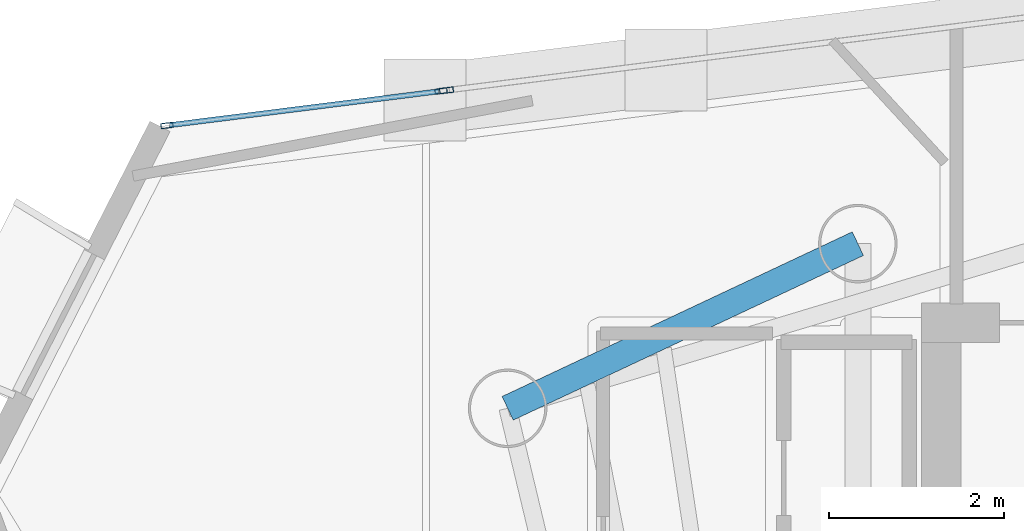
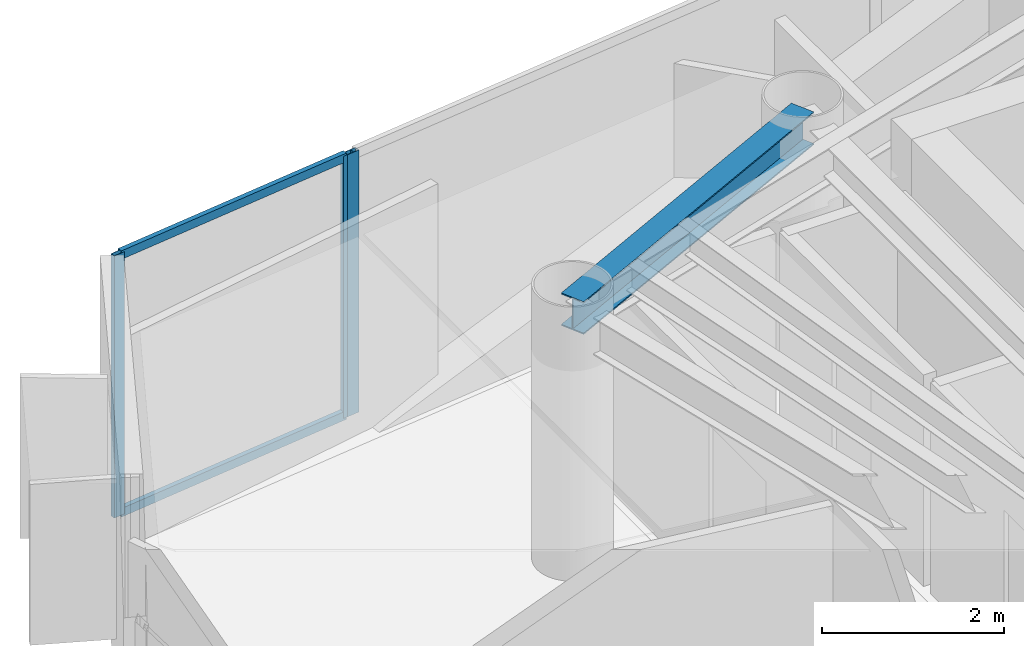
# One storey, part 10 of 23: 5 members, 1 beam, 2 elements without a shape of their own.
"""IFC4 building model written with IfcOpenShell, lengths in metres."""

import ifcopenshell
import ifcopenshell.guid

model = None  # the IFC model being written
_history = None  # IfcOwnerHistory: only IFC2X3 demands one
_inside = {}  # id of a spatial element -> (the spatial element, [elements in it])
_under = {}  # id of a project, library or spatial element -> (it, [spatial elements below it])
_declared = {}  # id of a project -> (the project, [libraries it declares])
_typed = {}  # id of a type object -> (the type object, [elements of that type])
_made_of = {}  # id of a material, layer set ... -> (it, [elements and type objects made of it])


def new_model(schema):
    """Start an empty IFC model of exactly this schema.

    Asked for "IFC4X3", IfcOpenShell would pick the latest addendum, in which some entities
    have other attributes; the version numbers below select the first issue.
    IFC2X3 requires an IfcOwnerHistory on every rooted entity: one is made here for all.
    """
    global model, _history
    if schema == "IFC4X3":
        model = ifcopenshell.file(schema_version=(4, 3, 0, 0))
    else:
        model = ifcopenshell.file(schema=schema)
    _inside.clear()
    _under.clear()
    _declared.clear()
    _typed.clear()
    _made_of.clear()
    _history = None
    if model.schema == "IFC2X3":
        org = make("IfcOrganization", Name="unknown")
        user = make(
            "IfcPersonAndOrganization",
            ThePerson=make("IfcPerson", FamilyName="unknown"),
            TheOrganization=org,
        )
        app = make(
            "IfcApplication",
            ApplicationDeveloper=org,
            Version="unknown",
            ApplicationFullName="unknown",
            ApplicationIdentifier="unknown",
        )
        _history = make(
            "IfcOwnerHistory",
            OwningUser=user,
            OwningApplication=app,
            ChangeAction="ADDED",
            CreationDate=0,
        )
    return model


def make(cls, **values):
    """One entity of the class cls with the attributes given. An attribute that is None is left unset."""
    return model.create_entity(
        cls, **{name: value for name, value in values.items() if value is not None}
    )


def rooted(cls, **values):
    """An entity with a GlobalId (a new one), such as an element, a storey or a relation."""
    return make(cls, GlobalId=ifcopenshell.guid.new(), OwnerHistory=_history, **values)


def si_unit(unit_type, name, prefix=None):
    """IfcSIUnit, for example si_unit("LENGTHUNIT", "METRE", prefix="MILLI")."""
    return make("IfcSIUnit", UnitType=unit_type, Prefix=prefix, Name=name)


def assignment(units):
    """IfcUnitAssignment: the units of a project."""
    return None if units is None else make("IfcUnitAssignment", Units=units)


def point(xyz):
    """IfcCartesianPoint."""
    return None if xyz is None else make("IfcCartesianPoint", Coordinates=xyz)


def direction(xyz):
    """IfcDirection."""
    return None if xyz is None else make("IfcDirection", DirectionRatios=xyz)


def frame(location, z_axis=None, x_axis=None):
    """IfcAxis2Placement3D, a coordinate frame: its origin and axes. An axis left out is left unset."""
    return make(
        "IfcAxis2Placement3D",
        Location=point(location),
        Axis=direction(z_axis),
        RefDirection=direction(x_axis),
    )


def frame_2d(location, x_axis=None):
    """IfcAxis2Placement2D, a coordinate frame in the plane: its origin and x axis."""
    return make(
        "IfcAxis2Placement2D", Location=point(location), RefDirection=direction(x_axis)
    )


def origin():
    """The frame at (0, 0, 0) with its axes left unset."""
    return frame((0.0, 0.0, 0.0))


def origin_2d():
    """The frame at (0, 0) in the plane with its x axis left unset."""
    return frame_2d((0.0, 0.0))


def place(relative_to, where):
    """IfcLocalPlacement: puts the frame where relative to a parent placement (None: the world)."""
    return make(
        "IfcLocalPlacement", PlacementRelTo=relative_to, RelativePlacement=where
    )


def context(
    kind, dimensions, precision=None, world=None, true_north=None, identifier=None
):
    """IfcGeometricRepresentationContext, for example the 3D "Model" context."""
    return make(
        "IfcGeometricRepresentationContext",
        ContextIdentifier=identifier,
        ContextType=kind,
        CoordinateSpaceDimension=dimensions,
        Precision=precision,
        WorldCoordinateSystem=world,
        TrueNorth=true_north,
    )


def subcontext(parent, identifier, kind, view, scale=None):
    """IfcGeometricRepresentationSubContext, for example "Body" below "Model"."""
    return make(
        "IfcGeometricRepresentationSubContext",
        ContextIdentifier=identifier,
        ContextType=kind,
        ParentContext=parent,
        TargetScale=scale,
        TargetView=view,
    )


def project(units=None, contexts=None):
    """IfcProject with its units and contexts."""
    return rooted(
        "IfcProject",
        Name="project",
        RepresentationContexts=contexts,
        UnitsInContext=assignment(units),
    )


def spatial(cls, under=None, at=None, **own):
    """A site, building, storey or space (cls), placed at a placement, below another one or the project."""
    s = rooted(cls, ObjectPlacement=at, **own)
    if under is not None:
        _under.setdefault(under.id(), (under, []))[1].append(s)
    return s


def profile(cls, at=None, kind="AREA", **sizes):
    """A parametric profile (cls). Its sizes go by their IFC names, for example OverallWidth=200.0."""
    return make(cls, ProfileType=kind, Position=at, **sizes)


def hollow_rectangle(**sizes):
    """IfcRectangleHollowProfileDef."""
    return profile("IfcRectangleHollowProfileDef", **sizes)


def i_section(**sizes):
    """IfcIShapeProfileDef."""
    return profile("IfcIShapeProfileDef", **sizes)


def extrude(swept, where, along, depth):
    """IfcExtrudedAreaSolid: the profile swept, set in the frame where, extruded along a direction by depth."""
    return make(
        "IfcExtrudedAreaSolid",
        SweptArea=swept,
        Position=where,
        ExtrudedDirection=direction(along),
        Depth=depth,
    )


def shape(context_of_items, identifier, shape_type, items):
    """IfcShapeRepresentation: the items that make up one representation, for example the "Body"."""
    return make(
        "IfcShapeRepresentation",
        ContextOfItems=context_of_items,
        RepresentationIdentifier=identifier,
        RepresentationType=shape_type,
        Items=items,
    )


def material(Name=None, Category=None):
    """IfcMaterial."""
    return make("IfcMaterial", Name=Name, Category=Category)


def layer(
    of_material, thickness, ventilated=None, Name=None, Category=None, Priority=None
):
    """IfcMaterialLayer: one layer of a wall or slab, of a material (None: an air gap)."""
    return make(
        "IfcMaterialLayer",
        Material=of_material,
        LayerThickness=thickness,
        IsVentilated=ventilated,
        Name=Name,
        Category=Category,
        Priority=Priority,
    )


def layer_set(layers, Name=None):
    """IfcMaterialLayerSet."""
    return make("IfcMaterialLayerSet", MaterialLayers=layers, LayerSetName=Name)


def material_profile(
    of_material, cross_section, Name=None, Category=None, Priority=None
):
    """IfcMaterialProfile: a cross section and its material."""
    return make(
        "IfcMaterialProfile",
        Name=Name,
        Material=of_material,
        Profile=cross_section,
        Priority=Priority,
        Category=Category,
    )


def profile_set(profiles, Name=None, composite=None):
    """IfcMaterialProfileSet."""
    return make(
        "IfcMaterialProfileSet",
        Name=Name,
        MaterialProfiles=profiles,
        CompositeProfile=composite,
    )


def made_of(thing, what):
    """Note that an element or type object is made of a material, layer set ...; save() writes the relation."""
    if what is not None:
        _made_of.setdefault(what.id(), (what, []))[1].append(thing)
    return thing


def type_object(cls, material=None, **own):
    """A type object (cls), such as IfcWallType, which elements share."""
    return made_of(rooted(cls, **own), material)


def element(
    cls,
    number,
    at=None,
    inside=None,
    cuts=None,
    type_object=None,
    material=None,
    context=None,
    identifier="Body",
    shape_type=None,
    held_by="IfcProductDefinitionShape",
    body=None,
    shapes=None,
    **own,
):
    """One element of the class cls, such as IfcWall. Its Tag is "e" and its number.

    at: its placement. inside: the storey or other place that contains it. cuts: it is an
    opening in that element (IfcRelVoidsElement). A single representation is given by context,
    identifier, shape_type and body (its items); several are given by shapes. held_by: the class
    of the entity that holds the representations. save() writes the other relations.
    """
    e = rooted(cls, Tag="e%d" % number, ObjectPlacement=at, **own)
    if body is not None:
        shapes = [shape(context, identifier, shape_type, body)]
    if shapes is not None:
        e.Representation = make(held_by, Representations=shapes)
    if inside is not None:
        _inside.setdefault(inside.id(), (inside, []))[1].append(e)
    if cuts is not None:
        rooted(
            "IfcRelVoidsElement", RelatingBuildingElement=cuts, RelatedOpeningElement=e
        )
    if type_object is not None:
        _typed.setdefault(type_object.id(), (type_object, []))[1].append(e)
    return made_of(e, material)


def aggregate(whole, parts):
    """IfcRelAggregates: a whole, such as a stair, and the parts it consists of."""
    return rooted("IfcRelAggregates", RelatingObject=whole, RelatedObjects=parts)


def save(model, path):
    """Write the relations noted so far, then the file.

    IfcRelAggregates (storeys below a building ...), IfcRelContainedInSpatialStructure (elements
    in a storey), IfcRelDefinesByType, IfcRelAssociatesMaterial and IfcRelDeclares: one each for
    every whole, place, type object, material and project.
    """
    for whole, parts in _under.values():
        aggregate(whole, parts)
    for where, things in _inside.values():
        rooted(
            "IfcRelContainedInSpatialStructure",
            RelatedElements=things,
            RelatingStructure=where,
        )
    for kind, things in _typed.values():
        rooted("IfcRelDefinesByType", RelatedObjects=things, RelatingType=kind)
    for what, things in _made_of.values():
        rooted("IfcRelAssociatesMaterial", RelatedObjects=things, RelatingMaterial=what)
    for by, libraries in _declared.values():
        rooted("IfcRelDeclares", RelatingContext=by, RelatedDefinitions=libraries)
    model.write(path)


model = new_model("IFC4")

# Units and contexts
model_context = context("Model", 3, precision=1e-05, world=origin(), true_north=direction((0.0, 1.0)))
body_context = subcontext(model_context, "Body", "Model", "MODEL_VIEW")
ifc_project = project(units=[si_unit("LENGTHUNIT", "METRE"), si_unit("AREAUNIT", "SQUARE_METRE"), si_unit("VOLUMEUNIT", "CUBIC_METRE"), si_unit("PLANEANGLEUNIT", "RADIAN"), si_unit("MASSUNIT", "GRAM", prefix="KILO")], contexts=[model_context])

# Site, building, storey
site_placement = place(None, origin())
site = spatial("IfcSite", under=ifc_project, at=site_placement, CompositionType="ELEMENT")
building_placement = place(site_placement, origin())
building = spatial("IfcBuilding", under=site, at=building_placement, Name="Qianvela Tower", CompositionType="ELEMENT")
storey_placement = place(building_placement, frame((0.0, 0.0, 284.300048828125)))
storey = spatial("IfcBuildingStorey", under=building, at=storey_placement, Name="L73", CompositionType="ELEMENT", Elevation=284.300048828125)

# Beam
ifc_material_1 = material(Name="Steel Q355B", Category="steel")
ifc_material_profile_1 = material_profile(ifc_material_1, i_section(OverallWidth=0.300048828125, OverallDepth=0.43994140625, WebThickness=0.010986328125, FlangeThickness=0.01806640625, at=origin_2d()), Name="HM440x300x11x18")
ifc_profile_set_1 = profile_set([ifc_material_profile_1], Name="Steel Q355B")
beam_type = type_object("IfcBeamType", Name="BM-HM440-COLL", PredefinedType="BEAM", material=ifc_profile_set_1)
beam_placement = place(storey_placement, frame((28.60009765625, 33.550048828125, 3.2978515625), z_axis=(-0.904957143986, -0.425502723316, 0.0), x_axis=(0.425502723316, -0.904957143986, 0.0)))
element("IfcBeam", 1, at=beam_placement, inside=storey, type_object=beam_type, Name="L73 Radial Primary Floor Girder 3", PredefinedType="BEAM", context=body_context, shape_type="SweptSolid", body=[
    extrude(i_section(OverallWidth=0.300048828125, OverallDepth=0.43994140625, WebThickness=0.010986328125, FlangeThickness=0.01806640625, at=origin_2d()), origin(), (0.0, 0.0, 1.0), 4.4345703125),
])

# Curtain wall, member
ifc_material_2 = material(Name="Anodised Architectural Aluminium and Insulated Spandrel Panel", Category="aluminium")
ifc_layer_1 = layer(ifc_material_2, 0.179931640625)
ifc_layer_set_1 = layer_set([ifc_layer_1], Name="Anodised Architectural Aluminium and Insulated Spandrel Panel")
curtain_wall_type_1 = type_object("IfcCurtainWallType", Name="CW-BRACEBAY", PredefinedType="USERDEFINED", material=ifc_layer_set_1)
curtain_wall_1_placement = place(storey_placement, origin())
curtain_wall_1 = element("IfcCurtainWall", 2, at=curtain_wall_1_placement, inside=storey, type_object=curtain_wall_type_1, Name="L73 CW-BRACEBAY Curtain Wall 02B", ObjectType="CURTAIN_WALL_SYSTEM", PredefinedType="USERDEFINED")
ifc_material_3 = material(Name="Anodised Architectural Aluminium 6063-T6", Category="aluminium")
ifc_material_profile_2 = material_profile(ifc_material_3, hollow_rectangle(XDim=0.06494140625, YDim=0.159912109375, WallThickness=0.0048828125, at=origin_2d()), Name="ALU-MULL-65x160")
ifc_profile_set_2 = profile_set([ifc_material_profile_2], Name="Anodised Architectural Aluminium 6063-T6")
member_type_1 = type_object("IfcMemberType", Name="CW-BRACEBAY-MULL", PredefinedType="MULLION", material=ifc_profile_set_2)
member_1_placement = place(storey_placement, frame((23.8857421875, 35.306640625, 0.0), z_axis=(0.0, 0.0, 1.0), x_axis=(0.124765685539, -0.992186234389, 0.0)))
member_1 = element("IfcMember", 3, at=member_1_placement, type_object=member_type_1, Name="CW-9 mullion 3", PredefinedType="MULLION", context=body_context, shape_type="SweptSolid", body=[
    extrude(hollow_rectangle(XDim=0.06494140625, YDim=0.159912109375, WallThickness=0.0048828125, at=origin_2d()), origin(), (0.0, 0.0, 1.0), 3.52001953125),
])
aggregate(curtain_wall_1, [member_1])

# Curtain wall, members
ifc_material_4 = material(Name="Anodised Architectural Aluminium and Low-E Glass", Category="aluminium")
ifc_layer_2 = layer(ifc_material_4, 0.14990234375)
ifc_layer_set_2 = layer_set([ifc_layer_2], Name="Anodised Architectural Aluminium and Low-E Glass")
curtain_wall_type_2 = type_object("IfcCurtainWallType", Name="CW-COLIV-Z78", PredefinedType="USERDEFINED", material=ifc_layer_set_2)
curtain_wall_2_placement = place(storey_placement, origin())
curtain_wall_2 = element("IfcCurtainWall", 4, at=curtain_wall_2_placement, inside=storey, type_object=curtain_wall_type_2, Name="L73 CW-COLIV-Z78 Curtain Wall 02C", ObjectType="CURTAIN_WALL_SYSTEM", PredefinedType="USERDEFINED")
ifc_material_5 = material(Name="Anodised Architectural Aluminium 6063-T6", Category="aluminium")
ifc_material_profile_3 = material_profile(ifc_material_5, hollow_rectangle(XDim=0.06005859375, YDim=0.139892578125, WallThickness=0.00439453125, at=origin_2d()), Name="ALU-MULL-60x140")
ifc_profile_set_3 = profile_set([ifc_material_profile_3], Name="Anodised Architectural Aluminium 6063-T6")
member_type_2 = type_object("IfcMemberType", Name="CW-COLIV-Z78-MULL", PredefinedType="MULLION", material=ifc_profile_set_3)
member_2_placement = place(storey_placement, frame((23.82373046875, 35.299072265625, 0.0), z_axis=(0.0, 0.0, 1.0), x_axis=(0.124759534724, -0.992187007824, 0.0)))
member_2 = element("IfcMember", 5, at=member_2_placement, type_object=member_type_2, Name="CW-6 mullion 1", PredefinedType="MULLION", context=body_context, shape_type="SweptSolid", body=[
    extrude(hollow_rectangle(XDim=0.06005859375, YDim=0.139892578125, WallThickness=0.00439453125, at=origin_2d()), origin(), (0.0, 0.0, 1.0), 3.52001953125),
])
member_3_placement = place(storey_placement, frame((20.682373046875, 34.904052734375, 0.0), z_axis=(0.0, 0.0, 1.0), x_axis=(0.124759534724, -0.992187007824, 0.0)))
member_3 = element("IfcMember", 6, at=member_3_placement, type_object=member_type_2, Name="CW-6 mullion 2", PredefinedType="MULLION", context=body_context, shape_type="SweptSolid", body=[
    extrude(hollow_rectangle(XDim=0.06005859375, YDim=0.139892578125, WallThickness=0.00439453125, at=origin_2d()), origin(), (0.0, 0.0, 1.0), 3.52001953125),
])
ifc_material_6 = material(Name="Anodised Architectural Aluminium 6063-T6", Category="aluminium")
ifc_material_profile_4 = material_profile(ifc_material_6, hollow_rectangle(XDim=0.06005859375, YDim=0.114990234375, WallThickness=0.00390625, at=origin_2d()), Name="ALU-TRAN-60x115")
ifc_profile_set_4 = profile_set([ifc_material_profile_4], Name="Anodised Architectural Aluminium 6063-T6")
member_type_3 = type_object("IfcMemberType", Name="CW-COLIV-Z78-TRAN", PredefinedType="USERDEFINED", material=ifc_profile_set_4)
member_4_placement = place(storey_placement, frame((23.7939453125, 35.295166015625, 0.030029296875), z_axis=(-0.992190572569, -0.12473118177, 0.0), x_axis=(0.12473118177, -0.992190572569, 0.0)))
member_4 = element("IfcMember", 7, at=member_4_placement, type_object=member_type_3, Name="CW-6 transom 1.1", ObjectType="TRANSOM", PredefinedType="USERDEFINED", context=body_context, shape_type="SweptSolid", body=[
    extrude(hollow_rectangle(XDim=0.06005859375, YDim=0.114990234375, WallThickness=0.00390625, at=origin_2d()), origin(), (0.0, 0.0, 1.0), 3.106201171875),
])
member_5_placement = place(storey_placement, frame((23.7939453125, 35.295166015625, 3.489990234375), z_axis=(-0.992190572569, -0.12473118177, 0.0), x_axis=(0.12473118177, -0.992190572569, 0.0)))
member_5 = element("IfcMember", 8, at=member_5_placement, type_object=member_type_3, Name="CW-6 transom 1.2", ObjectType="TRANSOM", PredefinedType="USERDEFINED", context=body_context, shape_type="SweptSolid", body=[
    extrude(hollow_rectangle(XDim=0.06005859375, YDim=0.114990234375, WallThickness=0.00390625, at=origin_2d()), origin(), (0.0, 0.0, 1.0), 3.106201171875),
])
aggregate(curtain_wall_2, [member_2, member_3, member_4, member_5])

save(model, "model.ifc")
